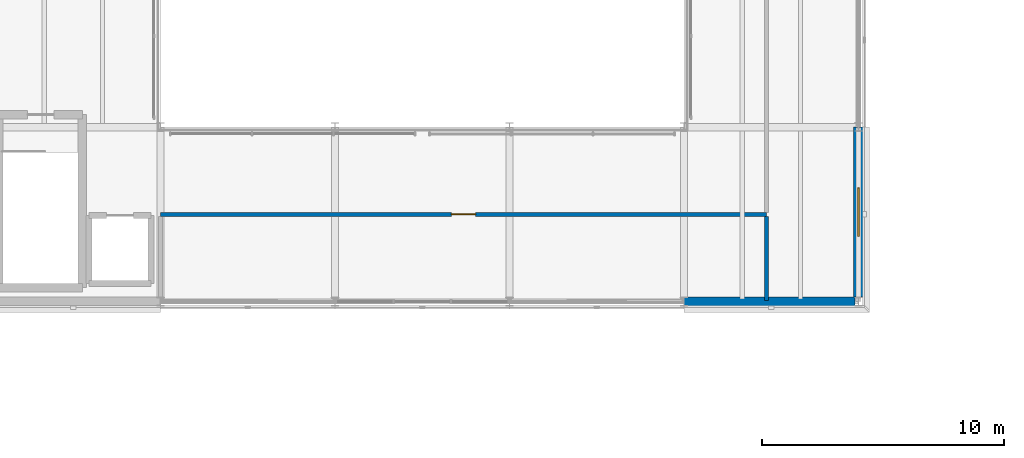
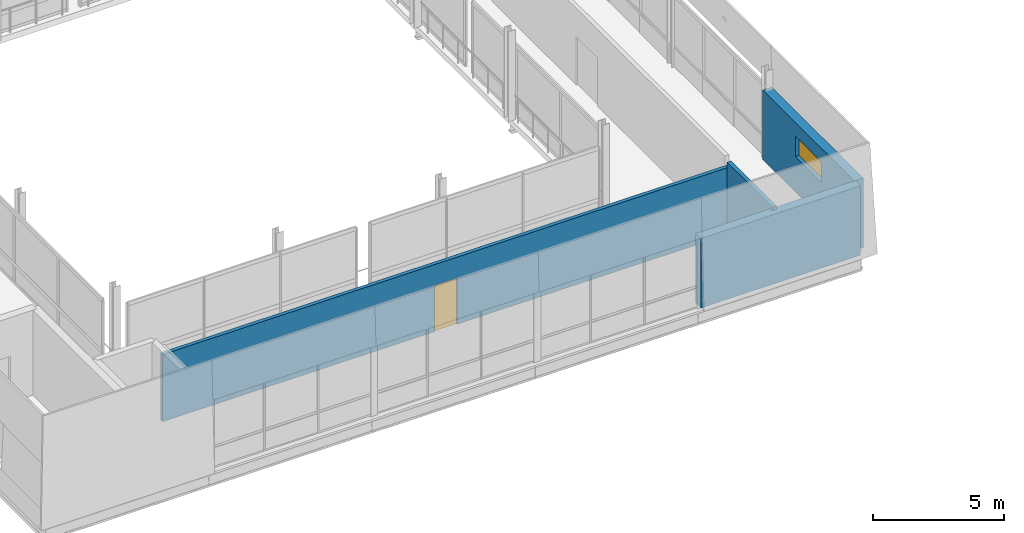
# One storey, part 59 of 91: 4 walls, 1 door, 1 window, 2 openings.
"""IFC4 building model written with IfcOpenShell, lengths in metres."""

from ifc_helpers import new_model, si_unit, direction, frame, frame_2d, origin, place, context, subcontext, project, spatial, rectangle, extrude, material, layer, layer_set, type_object, element, fill, save


model = new_model("IFC4")

# Units and contexts
model_context = context("Model", 3, precision=1e-05, world=origin(), true_north=direction((0.0, 1.0)))
body_context = subcontext(model_context, "Body", "Model", "MODEL_VIEW")
ifc_project = project(units=[si_unit("LENGTHUNIT", "METRE"), si_unit("AREAUNIT", "SQUARE_METRE"), si_unit("VOLUMEUNIT", "CUBIC_METRE"), si_unit("PLANEANGLEUNIT", "RADIAN"), si_unit("MASSUNIT", "GRAM", prefix="KILO")], contexts=[model_context])

# Site, building, storey
site_placement = place(None, origin())
site = spatial("IfcSite", under=ifc_project, at=site_placement, CompositionType="ELEMENT")
building_placement = place(site_placement, origin())
building = spatial("IfcBuilding", under=site, at=building_placement, Name="Narikvali Park Central Library", CompositionType="ELEMENT")
storey_placement = place(building_placement, frame((0.0, 0.0, 14.39990234375)))
storey = spatial("IfcBuildingStorey", under=building, at=storey_placement, Name="L03", CompositionType="ELEMENT", Elevation=14.39990234375)

# Wall
ifc_material_1 = material(Name="Acoustic Gypsum on Steel Studs", Category="steel")
ifc_layer_1 = layer(ifc_material_1, 0.179931640625, Name="Acoustic Gypsum on Steel Studs")
ifc_layer_set_1 = layer_set([ifc_layer_1], Name="Acoustic Gypsum on Steel Studs")
wall_type_1 = type_object("IfcWallType", Name="Reading Room Acoustic Partition 180", PredefinedType="PARTITIONING", material=ifc_layer_set_1)
wall_1_placement = place(storey_placement, frame((97.0, 57.655029296875, 0.0), z_axis=(0.0, 0.0, 1.0), x_axis=(0.0, 1.0, 0.0)))
element("IfcWall", 1, at=wall_1_placement, inside=storey, type_object=wall_type_1, Name="Drum Clerestory East Open Stacks Gallery Partition W", PredefinedType="PARTITIONING", context=body_context, shape_type="SweptSolid", body=[
    extrude(rectangle(XDim=3.462890625, YDim=0.179931640625, at=frame_2d((1.7314453125, 0.0))), origin(), (0.0, 0.0, 1.0), 3.39501953125),
])

# Wall, opening, door
ifc_material_2 = material(Name="Gypsum Board on Galvanised Steel Studs", Category="steel")
ifc_layer_2 = layer(ifc_material_2, 0.159912109375, Name="Gypsum Board on Galvanised Steel Studs")
ifc_layer_set_2 = layer_set([ifc_layer_2], Name="Gypsum Board on Galvanised Steel Studs")
wall_type_2 = type_object("IfcWallType", Name="Study Room Partition Wall 160", PredefinedType="PARTITIONING", material=ifc_layer_set_2)
wall_2_placement = place(storey_placement, frame((72.0, 61.199951171875, 0.0), z_axis=(0.0, 0.0, 1.0), x_axis=(1.0, 0.0, 0.0)))
wall_2 = element("IfcWall", 2, at=wall_2_placement, inside=storey, type_object=wall_type_2, Name="Drum Clerestory South Scholar Carrels Partition N", PredefinedType="PARTITIONING", context=body_context, shape_type="SweptSolid", body=[
    extrude(rectangle(XDim=25.0, YDim=0.159912109375, at=frame_2d((12.5, 0.0))), origin(), (0.0, 0.0, 1.0), 3.135009765625),
])
opening_1_placement = place(wall_2_placement, frame((12.0, 0.0, 0.0)))
opening_1 = element("IfcOpeningElement", 3, at=opening_1_placement, cuts=wall_2, Name="Opening ID-0050", PredefinedType="OPENING", context=body_context, shape_type="SweptSolid", body=[
    extrude(rectangle(XDim=1.0, YDim=2.14990234375, at=frame_2d((0.5, 1.074951171875))), frame((0.0, 0.091796875, 0.0), z_axis=(0.0, -1.0, 0.0), x_axis=(1.0, 0.0, 0.0)), (0.0, 0.0, 1.0), 0.183837890625),
])
ifc_material_3 = material(Name="Solid Caucasian Oak")
door_type = type_object("IfcDoorType", Name="Study Room Single Oak Door 1000x2150", OperationType="SINGLE_SWING_LEFT", PredefinedType="DOOR", material=ifc_material_3)
door_placement = place(opening_1_placement, frame((1.0, 0.0, 0.0), z_axis=(0.0, 0.0, 1.0), x_axis=(-1.0, 0.0, 0.0)))
door = element("IfcDoor", 4, at=door_placement, inside=storey, type_object=door_type, Name="Drum Clerestory South Scholar Carrels Door ID-0050", OperationType="SINGLE_SWING_RIGHT", OverallHeight=2.14990234375, OverallWidth=1.0, PredefinedType="DOOR", context=body_context, shape_type="SweptSolid", body=[
    extrude(rectangle(XDim=1.0, YDim=2.14990234375, at=frame_2d((0.5, 1.074951171875))), frame((0.0, 0.02490234375, 0.0), z_axis=(0.0, -1.0, 0.0), x_axis=(1.0, 0.0, 0.0)), (0.0, 0.0, 1.0), 0.050048828125),
])
fill(opening_1, door)

# Wall
ifc_material_4 = material(Name="White Honed Limestone over Concrete C35/45", Category="masonry")
ifc_layer_3 = layer(ifc_material_4, 0.39990234375, Name="White Honed Limestone over Concrete C35/45")
ifc_layer_set_3 = layer_set([ifc_layer_3], Name="White Honed Limestone over Concrete C35/45")
wall_type_3 = type_object("IfcWallType", Name="White Limestone Battered Tier3 Wall 400", PredefinedType="SOLIDWALL", material=ifc_layer_set_3)
wall_3_placement = place(storey_placement, frame((93.60009765625, 57.60009765625, 0.0), z_axis=(0.0, 0.0, 1.0), x_axis=(1.0, 0.0, 0.0)))
element("IfcWall", 5, at=wall_3_placement, inside=storey, type_object=wall_type_3, Name="V1 L03 S Exterior Limestone Wall B05", PredefinedType="SOLIDWALL", context=body_context, shape_type="SweptSolid", body=[
    extrude(rectangle(XDim=7.0458984375, YDim=0.39990234375, at=frame_2d((3.52294921875, 0.0))), origin(), (0.0, 0.0, 1.0), 3.239990234375),
])

# Wall, opening, window
wall_4_placement = place(storey_placement, frame((100.800048828125, 57.783935546875, 0.0), z_axis=(0.0, 0.0, 1.0), x_axis=(0.0, 1.0, 0.0)))
wall_4 = element("IfcWall", 6, at=wall_4_placement, inside=storey, type_object=wall_type_3, Name="V1 L03 E Exterior Limestone Wall B01", PredefinedType="SOLIDWALL", context=body_context, shape_type="SweptSolid", body=[
    extrude(rectangle(XDim=7.01611328125, YDim=0.39990234375, at=frame_2d((3.508056640625, 0.0))), origin(), (0.0, 0.0, 1.0), 3.239990234375),
])
opening_2_placement = place(wall_4_placement, frame((2.508056640625, 0.0, 1.64990234375)))
opening_2 = element("IfcOpeningElement", 7, at=opening_2_placement, cuts=wall_4, Name="Opening SKY-04", PredefinedType="OPENING", context=body_context, shape_type="SweptSolid", body=[
    extrude(rectangle(XDim=2.0, YDim=0.949951171875, at=frame_2d((1.0, 0.47509765625))), frame((0.0, 0.2119140625, 0.0), z_axis=(0.0, -1.0, 0.0), x_axis=(1.0, 0.0, 0.0)), (0.0, 0.0, 1.0), 0.423828125),
])
ifc_material_5 = material(Name="Laminated Solar-Control Skylight Glazing", Category="glass")
window_type = type_object("IfcWindowType", Name="Pavilion Lantern Skylight 2000x2000", PartitioningType="SINGLE_PANEL", PredefinedType="SKYLIGHT", material=ifc_material_5)
window_placement = place(opening_2_placement, origin())
window = element("IfcWindow", 8, at=window_placement, inside=storey, type_object=window_type, Name="V1 Clerestory Lantern Skylight SKY-04", OverallHeight=0.949951171875, OverallWidth=2.0, PartitioningType="SINGLE_PANEL", PredefinedType="SKYLIGHT", context=body_context, shape_type="SweptSolid", body=[
    extrude(rectangle(XDim=2.0, YDim=0.949951171875, at=frame_2d((1.0, 0.47509765625))), frame((0.0, 0.030029296875, 0.0), z_axis=(0.0, -1.0, 0.0), x_axis=(1.0, 0.0, 0.0)), (0.0, 0.0, 1.0), 0.06005859375),
])
fill(opening_2, window)

save(model, "model.ifc")
